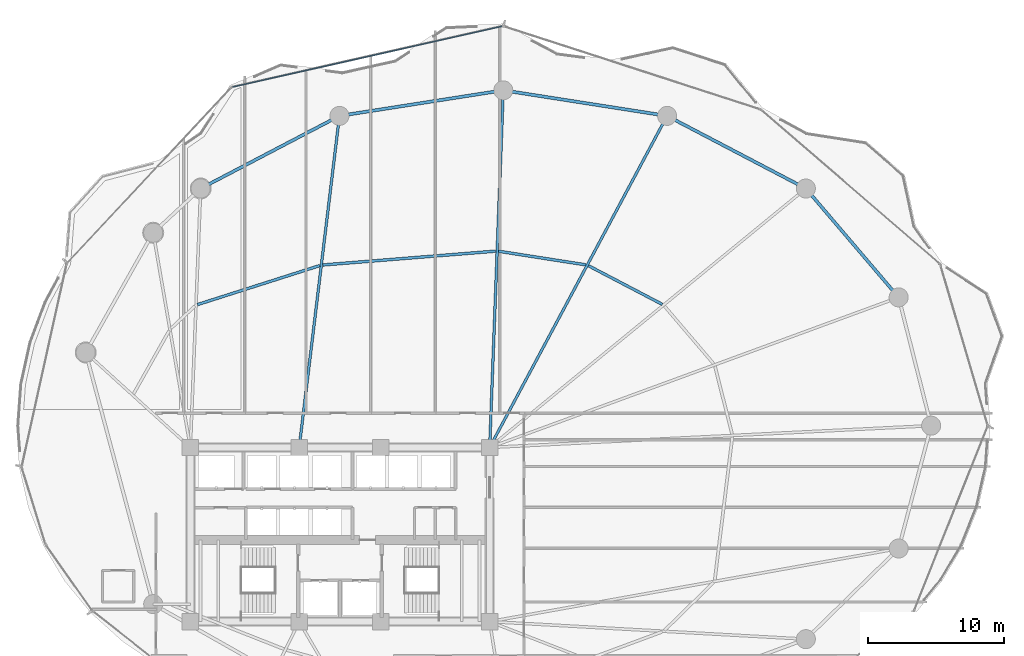
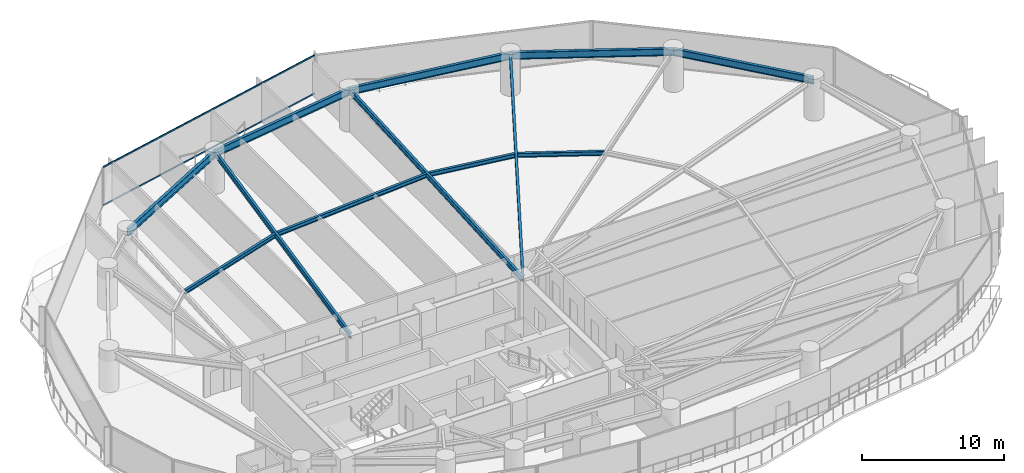
# One storey, part 18 of 33: 12 beams, 2 members, 1 element without a shape of its own.
"""IFC4 building model written with IfcOpenShell, lengths in metres."""

from ifc_helpers import new_model, si_unit, direction, frame, origin, origin_2d, place, context, subcontext, project, spatial, hollow_rectangle, i_section, extrude, material, layer, layer_set, material_profile, profile_set, type_object, element, aggregate, save


model = new_model("IFC4")

# Units and contexts
model_context = context("Model", 3, precision=1e-05, world=origin(), true_north=direction((0.0, 1.0)))
body_context = subcontext(model_context, "Body", "Model", "MODEL_VIEW")
ifc_project = project(units=[si_unit("LENGTHUNIT", "METRE"), si_unit("AREAUNIT", "SQUARE_METRE"), si_unit("VOLUMEUNIT", "CUBIC_METRE"), si_unit("PLANEANGLEUNIT", "RADIAN"), si_unit("MASSUNIT", "GRAM", prefix="KILO")], contexts=[model_context])

# Site, building, storey
site_placement = place(None, origin())
site = spatial("IfcSite", under=ifc_project, at=site_placement, CompositionType="ELEMENT")
building_placement = place(site_placement, origin())
building = spatial("IfcBuilding", under=site, at=building_placement, Name="Kazevale Care Tower and Concert Hall", CompositionType="ELEMENT")
storey_placement = place(building_placement, frame((0.0, 0.0, 52.800048828125)))
storey = spatial("IfcBuildingStorey", under=building, at=storey_placement, Name="L13", CompositionType="ELEMENT", Elevation=52.800048828125)

# Curtain wall, members
ifc_material_1 = material(Name="Aluminium 6063-T6 and Low-E Glass", Category="aluminium")
ifc_layer = layer(ifc_material_1, 0.179931640625)
ifc_layer_set = layer_set([ifc_layer], Name="Aluminium 6063-T6 and Low-E Glass")
curtain_wall_type = type_object("IfcCurtainWallType", Name="Convex Recessed Sunroom Curtain Wall CW-3", PredefinedType="NOTDEFINED", material=ifc_layer_set)
curtain_wall_placement = place(storey_placement, origin())
curtain_wall = element("IfcCurtainWall", 1, at=curtain_wall_placement, inside=storey, type_object=curtain_wall_type, Name="cw:L13:f15", PredefinedType="NOTDEFINED")
ifc_material_2 = material(Name="Aluminium 6063-T6", Category="aluminium")
ifc_material_profile_1 = material_profile(ifc_material_2, hollow_rectangle(XDim=0.074951171875, YDim=0.1201171875, WallThickness=0.00390625, at=origin_2d()), Name="ALU75x120x4")
ifc_profile_set_1 = profile_set([ifc_material_profile_1], Name="Aluminium 6063-T6")
member_type = type_object("IfcMemberType", Name="CW-3 Transom ALU75x120x4", PredefinedType="USERDEFINED", material=ifc_profile_set_1)
member_1_placement = place(storey_placement, frame((25.110107421875, 62.8935546875, 0.037353515625), z_axis=(0.975519983898, 0.219910802409, 0.0), x_axis=(-0.219910802409, 0.975519983898, 0.0)))
member_1 = element("IfcMember", 2, at=member_1_placement, type_object=member_type, Name="CW-3 transom 1.1", ObjectType="TRANSOM", PredefinedType="USERDEFINED", context=body_context, shape_type="SweptSolid", body=[
    extrude(hollow_rectangle(XDim=0.074951171875, YDim=0.1201171875, WallThickness=0.00390625, at=origin_2d()), origin(), (0.0, 0.0, 1.0), 20.27197265625),
])
member_2_placement = place(storey_placement, frame((25.110107421875, 62.8935546875, 3.322509765625), z_axis=(0.975519983898, 0.219910802409, 0.0), x_axis=(-0.219910802409, 0.975519983898, 0.0)))
member_2 = element("IfcMember", 3, at=member_2_placement, type_object=member_type, Name="CW-3 transom 1.2", ObjectType="TRANSOM", PredefinedType="USERDEFINED", context=body_context, shape_type="SweptSolid", body=[
    extrude(hollow_rectangle(XDim=0.074951171875, YDim=0.1201171875, WallThickness=0.00390625, at=origin_2d()), origin(), (0.0, 0.0, 1.0), 20.27197265625),
])
aggregate(curtain_wall, [member_1, member_2])

# Beams
ifc_material_3 = material(Name="Steel ASTM A572 Gr 50", Category="steel")
ifc_material_profile_2 = material_profile(ifc_material_3, i_section(OverallWidth=0.19091796875, OverallDepth=0.4599609375, WebThickness=0.010009765625, FlangeThickness=0.01611328125, at=origin_2d()), Name="W460x82")
ifc_profile_set_2 = profile_set([ifc_material_profile_2], Name="Steel ASTM A572 Gr 50")
beam_type_1 = type_object("IfcBeamType", Name="Radial Floor Beam W460x82", PredefinedType="BEAM", material=ifc_profile_set_2)
beam_1_placement = place(storey_placement, frame((44.0, 36.39990234375, 3.1298828125), z_axis=(0.471788966953, 0.88171150081, 0.0), x_axis=(-0.88171150081, 0.471788966953, 0.0)))
element("IfcBeam", 4, at=beam_1_placement, inside=storey, type_object=beam_type_1, Name="beam:L13:rad:04", PredefinedType="BEAM", context=body_context, shape_type="SweptSolid", body=[
    extrude(i_section(OverallWidth=0.19091796875, OverallDepth=0.4599609375, WebThickness=0.010009765625, FlangeThickness=0.01611328125, at=origin_2d()), origin(), (0.0, 0.0, 1.0), 27.6396484375),
])
beam_2_placement = place(storey_placement, frame((44.0, 36.39990234375, 3.1298828125), z_axis=(0.038067625343, 0.999275165258, 0.0), x_axis=(-0.999275165258, 0.038067625343, 0.0)))
element("IfcBeam", 5, at=beam_2_placement, inside=storey, type_object=beam_type_1, Name="beam:L13:rad:05", PredefinedType="BEAM", context=body_context, shape_type="SweptSolid", body=[
    extrude(i_section(OverallWidth=0.19091796875, OverallDepth=0.4599609375, WebThickness=0.010009765625, FlangeThickness=0.01611328125, at=origin_2d()), origin(), (0.0, 0.0, 1.0), 26.26904296875),
])
beam_3_placement = place(storey_placement, frame((30.0, 36.39990234375, 3.1298828125), z_axis=(0.120572526662, 0.9927045209, 0.0), x_axis=(-0.9927045209, 0.120572526662, 0.0)))
element("IfcBeam", 6, at=beam_3_placement, inside=storey, type_object=beam_type_1, Name="beam:L13:rad:06", PredefinedType="BEAM", context=body_context, shape_type="SweptSolid", body=[
    extrude(i_section(OverallWidth=0.19091796875, OverallDepth=0.4599609375, WebThickness=0.010009765625, FlangeThickness=0.01611328125, at=origin_2d()), origin(), (0.0, 0.0, 1.0), 24.54931640625),
])
ifc_material_profile_3 = material_profile(ifc_material_3, i_section(OverallWidth=0.22900390625, OverallDepth=0.612060546875, WebThickness=0.011962890625, FlangeThickness=0.01953125, at=origin_2d()), Name="W610x125")
ifc_profile_set_3 = profile_set([ifc_material_profile_3], Name="Steel ASTM A572 Gr 50")
beam_type_2 = type_object("IfcBeamType", Name="Ring Spandrel Beam W610x125", PredefinedType="SPANDREL", material=ifc_profile_set_3)
beam_4_placement = place(storey_placement, frame((74.06005859375, 47.429931640625, 3.053955078125), z_axis=(-0.648756004283, 0.760996482848, 0.0), x_axis=(-0.760996482848, -0.648756004283, 0.0)))
element("IfcBeam", 7, at=beam_4_placement, inside=storey, type_object=beam_type_2, Name="beam:L13:ring:02", PredefinedType="SPANDREL", context=body_context, shape_type="SweptSolid", body=[
    extrude(i_section(OverallWidth=0.22900390625, OverallDepth=0.612060546875, WebThickness=0.011962890625, FlangeThickness=0.01953125, at=origin_2d()), origin(), (0.0, 0.0, 1.0), 10.512451171875),
])
beam_5_placement = place(storey_placement, frame((67.239990234375, 55.429931640625, 3.053955078125), z_axis=(-0.885929466679, 0.463819986708, 0.0), x_axis=(-0.463819986708, -0.885929466679, 0.0)))
element("IfcBeam", 8, at=beam_5_placement, inside=storey, type_object=beam_type_2, Name="beam:L13:ring:03", PredefinedType="SPANDREL", context=body_context, shape_type="SweptSolid", body=[
    extrude(i_section(OverallWidth=0.22900390625, OverallDepth=0.612060546875, WebThickness=0.011962890625, FlangeThickness=0.01953125, at=origin_2d()), origin(), (0.0, 0.0, 1.0), 11.51318359375),
])
for number, where, z_axis, x_axis, name in (
    (9, (57.0400390625, 60.77001953125, 3.053955078125), (-0.988029216561, 0.154266870134, 0.0), (-0.154266870134, -0.988029216561, 0.0), "beam:L13:ring:04"),
    (10, (45.0, 62.64990234375, 3.053955078125), (-0.988029216561, -0.154266870134, 0.0), (0.154266870134, -0.988029216561, 0.0), "beam:L13:ring:05"),
):
    element("IfcBeam", number, at=place(storey_placement, frame(where, z_axis=z_axis, x_axis=x_axis)), inside=storey, type_object=beam_type_2, Name=name, PredefinedType="SPANDREL", context=body_context, shape_type="SweptSolid", body=[
        extrude(i_section(OverallWidth=0.22900390625, OverallDepth=0.612060546875, WebThickness=0.011962890625, FlangeThickness=0.01953125, at=origin_2d()), origin(), (0.0, 0.0, 1.0), 12.18603515625),
    ])
beam_6_placement = place(storey_placement, frame((32.9599609375, 60.77001953125, 3.053955078125), z_axis=(-0.885929466679, -0.463819986708, 0.0), x_axis=(0.463819986708, -0.885929466679, 0.0)))
element("IfcBeam", 11, at=beam_6_placement, inside=storey, type_object=beam_type_2, Name="beam:L13:ring:06", PredefinedType="SPANDREL", context=body_context, shape_type="SweptSolid", body=[
    extrude(i_section(OverallWidth=0.22900390625, OverallDepth=0.612060546875, WebThickness=0.011962890625, FlangeThickness=0.01953125, at=origin_2d()), origin(), (0.0, 0.0, 1.0), 11.51318359375),
])
ifc_material_profile_4 = material_profile(ifc_material_3, i_section(OverallWidth=0.205078125, OverallDepth=0.35400390625, WebThickness=0.009521484375, FlangeThickness=0.016845703125, at=origin_2d()), Name="W360x79")
ifc_profile_set_4 = profile_set([ifc_material_profile_4], Name="Steel ASTM A572 Gr 50")
beam_type_3 = type_object("IfcBeamType", Name="Secondary Floor Joist W360x79", PredefinedType="JOIST", material=ifc_profile_set_4)
beam_7_placement = place(storey_placement, frame((56.68896484375, 46.9150390625, 3.182861328125), z_axis=(-0.885921274797, 0.463835633454, 0.0), x_axis=(-0.463835633454, -0.885921274797, 0.0)))
element("IfcBeam", 12, at=beam_7_placement, inside=storey, type_object=beam_type_3, Name="beam:L13:joist:03", PredefinedType="JOIST", context=body_context, shape_type="SweptSolid", body=[
    extrude(i_section(OverallWidth=0.205078125, OverallDepth=0.35400390625, WebThickness=0.009521484375, FlangeThickness=0.016845703125, at=origin_2d()), origin(), (0.0, 0.0, 1.0), 6.12255859375),
])
beam_8_placement = place(storey_placement, frame((51.068115234375, 49.820068359375, 3.182861328125), z_axis=(-0.988040697826, 0.154193318403, 0.0), x_axis=(-0.154193318403, -0.988040697826, 0.0)))
element("IfcBeam", 13, at=beam_8_placement, inside=storey, type_object=beam_type_3, Name="beam:L13:joist:04", PredefinedType="JOIST", context=body_context, shape_type="SweptSolid", body=[
    extrude(i_section(OverallWidth=0.205078125, OverallDepth=0.35400390625, WebThickness=0.009521484375, FlangeThickness=0.016845703125, at=origin_2d()), origin(), (0.0, 0.0, 1.0), 6.49169921875),
])
beam_9_placement = place(storey_placement, frame((44.445068359375, 50.8291015625, 3.182861328125), z_axis=(-0.996814548036, -0.079754353015, 0.0), x_axis=(0.079754353015, -0.996814548036, 0.0)))
element("IfcBeam", 14, at=beam_9_placement, inside=storey, type_object=beam_type_3, Name="beam:L13:joist:05", PredefinedType="JOIST", context=body_context, shape_type="SweptSolid", body=[
    extrude(i_section(OverallWidth=0.205078125, OverallDepth=0.35400390625, WebThickness=0.009521484375, FlangeThickness=0.016845703125, at=origin_2d()), origin(), (0.0, 0.0, 1.0), 12.752685546875),
])
beam_10_placement = place(storey_placement, frame((31.528076171875, 49.77197265625, 3.182861328125), z_axis=(-0.9527054955, -0.303895111584, 0.0), x_axis=(0.303895111584, -0.9527054955, 0.0)))
element("IfcBeam", 15, at=beam_10_placement, inside=storey, type_object=beam_type_3, Name="beam:L13:joist:06", PredefinedType="JOIST", context=body_context, shape_type="SweptSolid", body=[
    extrude(i_section(OverallWidth=0.205078125, OverallDepth=0.35400390625, WebThickness=0.009521484375, FlangeThickness=0.016845703125, at=origin_2d()), origin(), (0.0, 0.0, 1.0), 9.457275390625),
])

save(model, "model.ifc")
